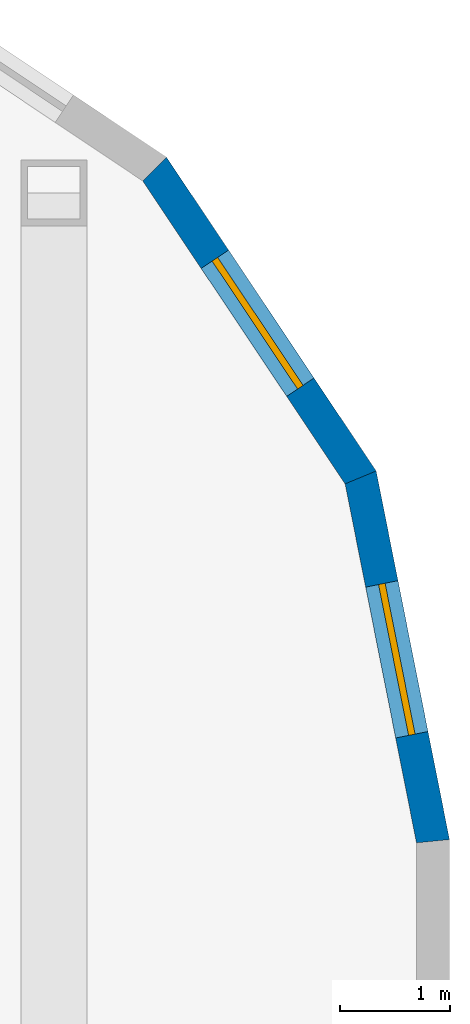
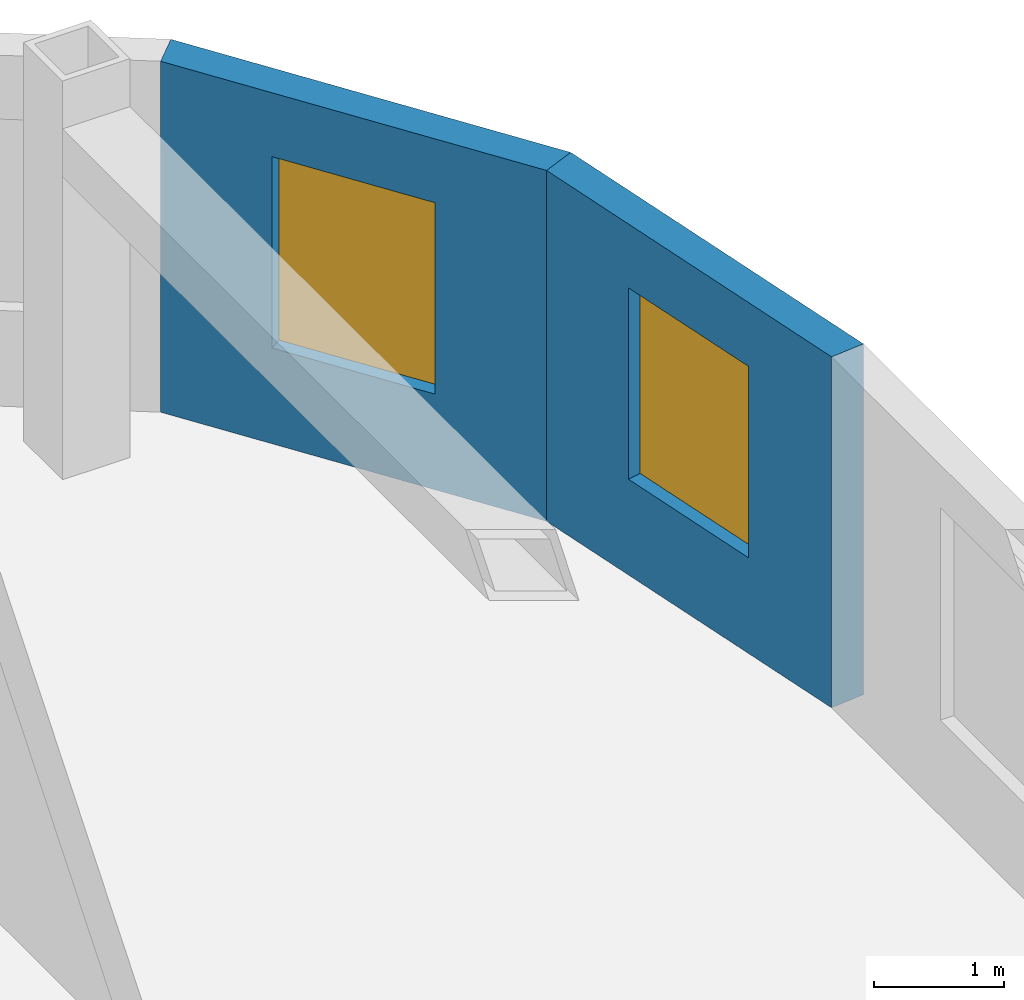
# One storey, part 18 of 23: 2 walls, 2 windows, 2 openings.
"""IFC4 building model written with IfcOpenShell, lengths in metres."""

from ifc_helpers import new_model, si_unit, direction, frame, frame_2d, origin, place, context, subcontext, project, spatial, polyline, rectangle, outline, extrude, material, layer, layer_set, type_object, element, fill, save


model = new_model("IFC4")

# Units and contexts
model_context = context("Model", 3, precision=1e-05, world=origin(), true_north=direction((0.0, 1.0)))
body_context = subcontext(model_context, "Body", "Model", "MODEL_VIEW")
ifc_project = project(units=[si_unit("LENGTHUNIT", "METRE"), si_unit("AREAUNIT", "SQUARE_METRE"), si_unit("VOLUMEUNIT", "CUBIC_METRE"), si_unit("PLANEANGLEUNIT", "RADIAN"), si_unit("MASSUNIT", "GRAM", prefix="KILO")], contexts=[model_context])

# Site, building, storey
site_placement = place(None, origin())
site = spatial("IfcSite", under=ifc_project, at=site_placement, CompositionType="ELEMENT")
building_placement = place(site_placement, origin())
building = spatial("IfcBuilding", under=site, at=building_placement, Name="Orbita Commons", CompositionType="ELEMENT")
storey_placement = place(building_placement, frame((0.0, 0.0, 212.800048828125)))
storey = spatial("IfcBuildingStorey", under=building, at=storey_placement, Name="L52", CompositionType="ELEMENT", Elevation=212.800048828125)

# Wall, opening, window
ifc_material_1 = material(Name="Precast concrete C40/50, white board-marked finish", Category="concrete")
ifc_layer = layer(ifc_material_1, 0.300048828125)
ifc_layer_set = layer_set([ifc_layer], Name="Precast concrete C40/50, white board-marked finish")
wall_type = type_object("IfcWallType", Name="Precast concrete end shield 300", PredefinedType="SOLIDWALL", material=ifc_layer_set)
wall_1_placement = place(storey_placement, frame((75.449951171875, 44.199951171875, 0.0), z_axis=(0.0, 0.0, 1.0), x_axis=(-0.19508664885, 0.980786011034, 0.0)))
wall_1 = element("IfcWall", 1, at=wall_1_placement, inside=storey, type_object=wall_type, Name="End shield NE chord 1 L52", PredefinedType="SOLIDWALL", context=body_context, shape_type="SweptSolid", body=[
    extrude(outline(polyline([(-0.014892578125, -0.14990234375), (3.405029296875, -0.14990234375), (3.345458984375, 0.14990234375), (0.014892578125, 0.14990234375), (-0.014892578125, -0.14990234375)])), origin(), (0.0, 0.0, 1.0), 3.300048828125),
])
opening_1_placement = place(wall_1_placement, frame((0.987548828125, 0.0, 0.89990234375)))
opening_1 = element("IfcOpeningElement", 2, at=opening_1_placement, cuts=wall_1, Name="Opening W02", PredefinedType="OPENING", context=body_context, shape_type="SweptSolid", body=[
    extrude(rectangle(XDim=1.39990234375, YDim=1.800048828125, at=frame_2d((0.699951171875, 0.89990234375))), frame((0.0, 0.159912109375, 0.0), z_axis=(0.0, -1.0, 0.0), x_axis=(1.0, 0.0, 0.0)), (0.0, 0.0, 1.0), 0.320068359375),
])
ifc_material_2 = material(Name="Aluminium frame, clear double glazing", Category="aluminium")
window_type = type_object("IfcWindowType", Name="Deep-set window 1400x1800", PartitioningType="SINGLE_PANEL", PredefinedType="WINDOW", material=ifc_material_2)
window_1_placement = place(opening_1_placement, origin())
window_1 = element("IfcWindow", 3, at=window_1_placement, inside=storey, type_object=window_type, Name="Window L52-NE0", OverallHeight=1.800048828125, OverallWidth=1.39990234375, PartitioningType="SINGLE_PANEL", PredefinedType="WINDOW", context=body_context, shape_type="SweptSolid", body=[
    extrude(rectangle(XDim=1.39990234375, YDim=1.800048828125, at=frame_2d((0.699951171875, 0.89990234375))), frame((0.0, 0.030029296875, 0.0), z_axis=(0.0, -1.0, 0.0), x_axis=(1.0, 0.0, 0.0)), (0.0, 0.0, 1.0), 0.06005859375),
])
fill(opening_1, window_1)

wall_2_placement = place(storey_placement, frame((74.79150390625, 47.51025390625, 0.0), z_axis=(0.0, 0.0, 1.0), x_axis=(-0.555567969291, 0.831471124873, 0.0)))
wall_2 = element("IfcWall", 4, at=wall_2_placement, inside=storey, type_object=wall_type, Name="End shield NE chord 2 L52", PredefinedType="SOLIDWALL", context=body_context, shape_type="SweptSolid", body=[
    extrude(outline(polyline([(-0.02978515625, -0.14990234375), (3.40478515625, -0.14990234375), (3.34521484375, 0.14990234375), (0.02978515625, 0.14990234375), (-0.02978515625, -0.14990234375)])), origin(), (0.0, 0.0, 1.0), 3.300048828125),
])
opening_2_placement = place(wall_2_placement, frame((0.987548828125, 0.0, 0.89990234375)))
opening_2 = element("IfcOpeningElement", 5, at=opening_2_placement, cuts=wall_2, Name="Opening W02", PredefinedType="OPENING", context=body_context, shape_type="SweptSolid", body=[
    extrude(rectangle(XDim=1.39990234375, YDim=1.800048828125, at=frame_2d((0.699951171875, 0.89990234375))), frame((0.0, 0.159912109375, 0.0), z_axis=(0.0, -1.0, 0.0), x_axis=(1.0, 0.0, 0.0)), (0.0, 0.0, 1.0), 0.320068359375),
])
window_2_placement = place(opening_2_placement, origin())
window_2 = element("IfcWindow", 6, at=window_2_placement, inside=storey, type_object=window_type, Name="Window L52-NE1", OverallHeight=1.800048828125, OverallWidth=1.39990234375, PartitioningType="SINGLE_PANEL", PredefinedType="WINDOW", context=body_context, shape_type="SweptSolid", body=[
    extrude(rectangle(XDim=1.39990234375, YDim=1.800048828125, at=frame_2d((0.699951171875, 0.89990234375))), frame((0.0, 0.030029296875, 0.0), z_axis=(0.0, -1.0, 0.0), x_axis=(1.0, 0.0, 0.0)), (0.0, 0.0, 1.0), 0.06005859375),
])
fill(opening_2, window_2)

save(model, "model.ifc")
